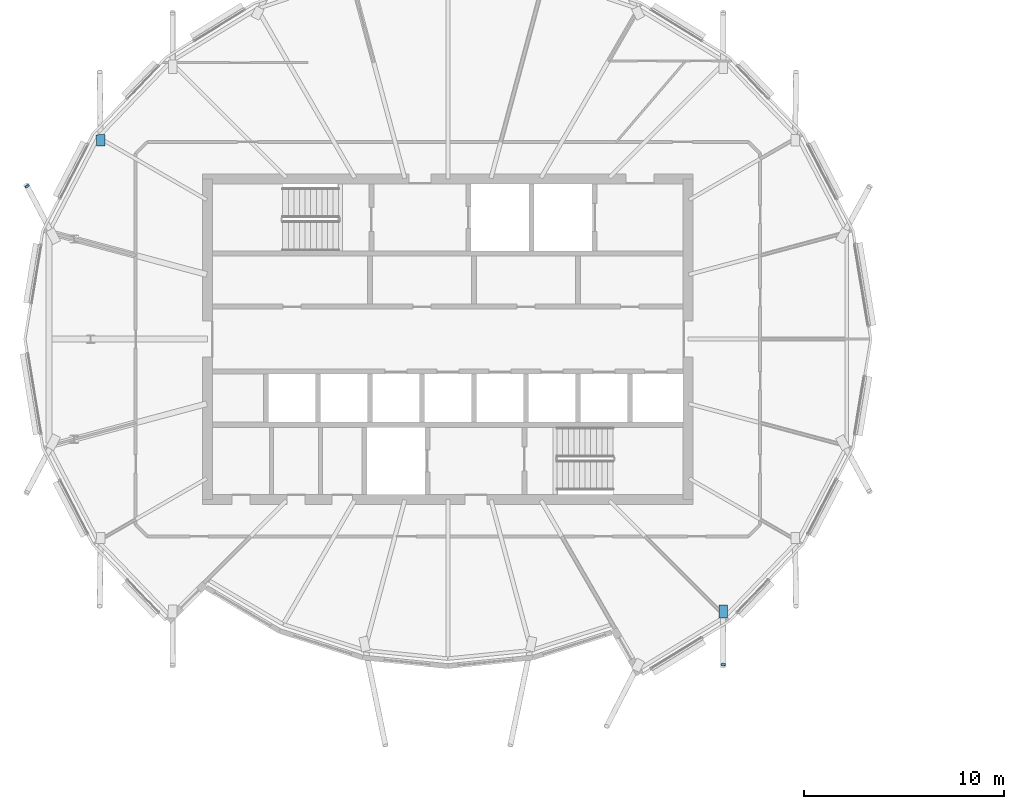
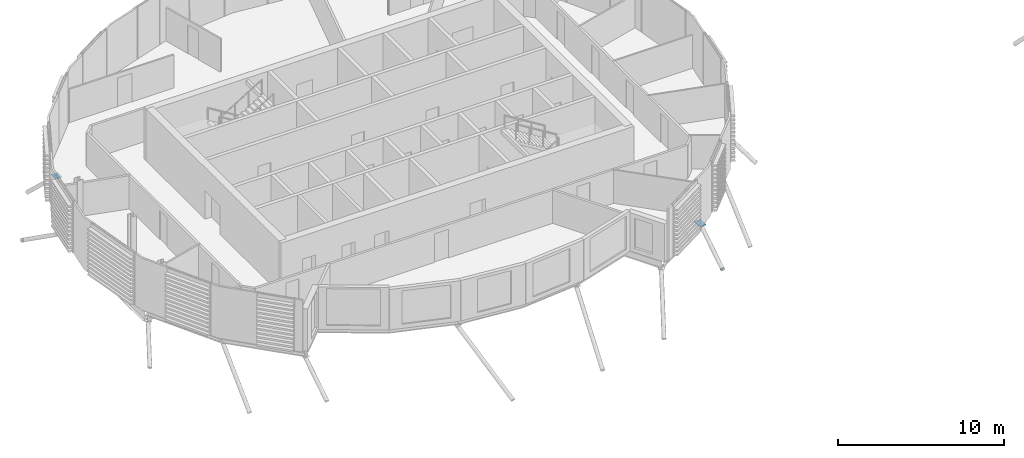
# One storey, part 25 of 38: 4 discrete accessories.
"""IFC4 building model written with IfcOpenShell, lengths in metres."""

import ifcopenshell
import ifcopenshell.guid

model = None  # the IFC model being written
_history = None  # IfcOwnerHistory: only IFC2X3 demands one
_inside = {}  # id of a spatial element -> (the spatial element, [elements in it])
_under = {}  # id of a project, library or spatial element -> (it, [spatial elements below it])
_declared = {}  # id of a project -> (the project, [libraries it declares])
_typed = {}  # id of a type object -> (the type object, [elements of that type])
_made_of = {}  # id of a material, layer set ... -> (it, [elements and type objects made of it])


def new_model(schema):
    """Start an empty IFC model of exactly this schema.

    Asked for "IFC4X3", IfcOpenShell would pick the latest addendum, in which some entities
    have other attributes; the version numbers below select the first issue.
    IFC2X3 requires an IfcOwnerHistory on every rooted entity: one is made here for all.
    """
    global model, _history
    if schema == "IFC4X3":
        model = ifcopenshell.file(schema_version=(4, 3, 0, 0))
    else:
        model = ifcopenshell.file(schema=schema)
    _inside.clear()
    _under.clear()
    _declared.clear()
    _typed.clear()
    _made_of.clear()
    _history = None
    if model.schema == "IFC2X3":
        org = make("IfcOrganization", Name="unknown")
        user = make(
            "IfcPersonAndOrganization",
            ThePerson=make("IfcPerson", FamilyName="unknown"),
            TheOrganization=org,
        )
        app = make(
            "IfcApplication",
            ApplicationDeveloper=org,
            Version="unknown",
            ApplicationFullName="unknown",
            ApplicationIdentifier="unknown",
        )
        _history = make(
            "IfcOwnerHistory",
            OwningUser=user,
            OwningApplication=app,
            ChangeAction="ADDED",
            CreationDate=0,
        )
    return model


def make(cls, **values):
    """One entity of the class cls with the attributes given. An attribute that is None is left unset."""
    return model.create_entity(
        cls, **{name: value for name, value in values.items() if value is not None}
    )


def rooted(cls, **values):
    """An entity with a GlobalId (a new one), such as an element, a storey or a relation."""
    return make(cls, GlobalId=ifcopenshell.guid.new(), OwnerHistory=_history, **values)


def si_unit(unit_type, name, prefix=None):
    """IfcSIUnit, for example si_unit("LENGTHUNIT", "METRE", prefix="MILLI")."""
    return make("IfcSIUnit", UnitType=unit_type, Prefix=prefix, Name=name)


def assignment(units):
    """IfcUnitAssignment: the units of a project."""
    return None if units is None else make("IfcUnitAssignment", Units=units)


def point(xyz):
    """IfcCartesianPoint."""
    return None if xyz is None else make("IfcCartesianPoint", Coordinates=xyz)


def direction(xyz):
    """IfcDirection."""
    return None if xyz is None else make("IfcDirection", DirectionRatios=xyz)


def frame(location, z_axis=None, x_axis=None):
    """IfcAxis2Placement3D, a coordinate frame: its origin and axes. An axis left out is left unset."""
    return make(
        "IfcAxis2Placement3D",
        Location=point(location),
        Axis=direction(z_axis),
        RefDirection=direction(x_axis),
    )


def frame_2d(location, x_axis=None):
    """IfcAxis2Placement2D, a coordinate frame in the plane: its origin and x axis."""
    return make(
        "IfcAxis2Placement2D", Location=point(location), RefDirection=direction(x_axis)
    )


def origin():
    """The frame at (0, 0, 0) with its axes left unset."""
    return frame((0.0, 0.0, 0.0))


def origin_2d():
    """The frame at (0, 0) in the plane with its x axis left unset."""
    return frame_2d((0.0, 0.0))


def place(relative_to, where):
    """IfcLocalPlacement: puts the frame where relative to a parent placement (None: the world)."""
    return make(
        "IfcLocalPlacement", PlacementRelTo=relative_to, RelativePlacement=where
    )


def context(
    kind, dimensions, precision=None, world=None, true_north=None, identifier=None
):
    """IfcGeometricRepresentationContext, for example the 3D "Model" context."""
    return make(
        "IfcGeometricRepresentationContext",
        ContextIdentifier=identifier,
        ContextType=kind,
        CoordinateSpaceDimension=dimensions,
        Precision=precision,
        WorldCoordinateSystem=world,
        TrueNorth=true_north,
    )


def subcontext(parent, identifier, kind, view, scale=None):
    """IfcGeometricRepresentationSubContext, for example "Body" below "Model"."""
    return make(
        "IfcGeometricRepresentationSubContext",
        ContextIdentifier=identifier,
        ContextType=kind,
        ParentContext=parent,
        TargetScale=scale,
        TargetView=view,
    )


def project(units=None, contexts=None):
    """IfcProject with its units and contexts."""
    return rooted(
        "IfcProject",
        Name="project",
        RepresentationContexts=contexts,
        UnitsInContext=assignment(units),
    )


def spatial(cls, under=None, at=None, **own):
    """A site, building, storey or space (cls), placed at a placement, below another one or the project."""
    s = rooted(cls, ObjectPlacement=at, **own)
    if under is not None:
        _under.setdefault(under.id(), (under, []))[1].append(s)
    return s


def polyline(points):
    """IfcPolyline through the points."""
    return make("IfcPolyline", Points=[point(p) for p in points])


def profile(cls, at=None, kind="AREA", **sizes):
    """A parametric profile (cls). Its sizes go by their IFC names, for example OverallWidth=200.0."""
    return make(cls, ProfileType=kind, Position=at, **sizes)


def rectangle(**sizes):
    """IfcRectangleProfileDef."""
    return profile("IfcRectangleProfileDef", **sizes)


def circle(**sizes):
    """IfcCircleProfileDef."""
    return profile("IfcCircleProfileDef", **sizes)


def outline(outer, holes=None, kind="AREA"):
    """IfcArbitraryClosedProfileDef: a profile drawn as a closed curve; with holes, ...WithVoids."""
    if holes is None:
        return make("IfcArbitraryClosedProfileDef", ProfileType=kind, OuterCurve=outer)
    return make(
        "IfcArbitraryProfileDefWithVoids",
        ProfileType=kind,
        OuterCurve=outer,
        InnerCurves=holes,
    )


def extrude(swept, where, along, depth):
    """IfcExtrudedAreaSolid: the profile swept, set in the frame where, extruded along a direction by depth."""
    return make(
        "IfcExtrudedAreaSolid",
        SweptArea=swept,
        Position=where,
        ExtrudedDirection=direction(along),
        Depth=depth,
    )


def shape(context_of_items, identifier, shape_type, items):
    """IfcShapeRepresentation: the items that make up one representation, for example the "Body"."""
    return make(
        "IfcShapeRepresentation",
        ContextOfItems=context_of_items,
        RepresentationIdentifier=identifier,
        RepresentationType=shape_type,
        Items=items,
    )


def material(Name=None, Category=None):
    """IfcMaterial."""
    return make("IfcMaterial", Name=Name, Category=Category)


def material_profile(
    of_material, cross_section, Name=None, Category=None, Priority=None
):
    """IfcMaterialProfile: a cross section and its material."""
    return make(
        "IfcMaterialProfile",
        Name=Name,
        Material=of_material,
        Profile=cross_section,
        Priority=Priority,
        Category=Category,
    )


def profile_set(profiles, Name=None, composite=None):
    """IfcMaterialProfileSet."""
    return make(
        "IfcMaterialProfileSet",
        Name=Name,
        MaterialProfiles=profiles,
        CompositeProfile=composite,
    )


def made_of(thing, what):
    """Note that an element or type object is made of a material, layer set ...; save() writes the relation."""
    if what is not None:
        _made_of.setdefault(what.id(), (what, []))[1].append(thing)
    return thing


def type_object(cls, material=None, **own):
    """A type object (cls), such as IfcWallType, which elements share."""
    return made_of(rooted(cls, **own), material)


def element(
    cls,
    number,
    at=None,
    inside=None,
    cuts=None,
    type_object=None,
    material=None,
    context=None,
    identifier="Body",
    shape_type=None,
    held_by="IfcProductDefinitionShape",
    body=None,
    shapes=None,
    **own,
):
    """One element of the class cls, such as IfcWall. Its Tag is "e" and its number.

    at: its placement. inside: the storey or other place that contains it. cuts: it is an
    opening in that element (IfcRelVoidsElement). A single representation is given by context,
    identifier, shape_type and body (its items); several are given by shapes. held_by: the class
    of the entity that holds the representations. save() writes the other relations.
    """
    e = rooted(cls, Tag="e%d" % number, ObjectPlacement=at, **own)
    if body is not None:
        shapes = [shape(context, identifier, shape_type, body)]
    if shapes is not None:
        e.Representation = make(held_by, Representations=shapes)
    if inside is not None:
        _inside.setdefault(inside.id(), (inside, []))[1].append(e)
    if cuts is not None:
        rooted(
            "IfcRelVoidsElement", RelatingBuildingElement=cuts, RelatedOpeningElement=e
        )
    if type_object is not None:
        _typed.setdefault(type_object.id(), (type_object, []))[1].append(e)
    return made_of(e, material)


def aggregate(whole, parts):
    """IfcRelAggregates: a whole, such as a stair, and the parts it consists of."""
    return rooted("IfcRelAggregates", RelatingObject=whole, RelatedObjects=parts)


def save(model, path):
    """Write the relations noted so far, then the file.

    IfcRelAggregates (storeys below a building ...), IfcRelContainedInSpatialStructure (elements
    in a storey), IfcRelDefinesByType, IfcRelAssociatesMaterial and IfcRelDeclares: one each for
    every whole, place, type object, material and project.
    """
    for whole, parts in _under.values():
        aggregate(whole, parts)
    for where, things in _inside.values():
        rooted(
            "IfcRelContainedInSpatialStructure",
            RelatedElements=things,
            RelatingStructure=where,
        )
    for kind, things in _typed.values():
        rooted("IfcRelDefinesByType", RelatedObjects=things, RelatingType=kind)
    for what, things in _made_of.values():
        rooted("IfcRelAssociatesMaterial", RelatedObjects=things, RelatingMaterial=what)
    for by, libraries in _declared.values():
        rooted("IfcRelDeclares", RelatingContext=by, RelatedDefinitions=libraries)
    model.write(path)


model = new_model("IFC4")

# Units and contexts
model_context = context("Model", 3, precision=1e-05, world=origin(), true_north=direction((0.0, 1.0)))
body_context = subcontext(model_context, "Body", "Model", "MODEL_VIEW")
ifc_project = project(units=[si_unit("LENGTHUNIT", "METRE"), si_unit("AREAUNIT", "SQUARE_METRE"), si_unit("VOLUMEUNIT", "CUBIC_METRE"), si_unit("PLANEANGLEUNIT", "RADIAN"), si_unit("MASSUNIT", "GRAM", prefix="KILO")], contexts=[model_context])

# Site, building, storey
site_placement = place(None, origin())
site = spatial("IfcSite", under=ifc_project, at=site_placement, CompositionType="ELEMENT")
building_placement = place(site_placement, origin())
building = spatial("IfcBuilding", under=site, at=building_placement, Name="Rimbun Link Towers", CompositionType="ELEMENT")
storey_placement = place(building_placement, frame((0.0, 0.0, 218.10009765625)))
storey = spatial("IfcBuildingStorey", under=building, at=storey_placement, Name="L53", CompositionType="ELEMENT", Elevation=218.10009765625)

# Discrete accessories
ifc_material_1 = material(Name="Steel S355J2H", Category="steel")
ifc_material_profile_1 = material_profile(ifc_material_1, circle(Radius=0.1240234375, at=origin_2d()), Name="PL D248")
ifc_profile_set_1 = profile_set([ifc_material_profile_1], Name="Steel S355J2H")
discrete_accessory_type_1 = type_object("IfcDiscreteAccessoryType", Name="Link foot sealing plate D248X20", PredefinedType="BRACKET", material=ifc_profile_set_1)
for number, where, z_axis, x_axis, name in (
    (1, (-52.76025390625, 7.63037109375, -2.53759765625), (-0.413131566007, 0.777659418366, -0.473886208067), (-0.883115719457, -0.469155225962, 0.0), "Link foot sealing plate T1 L53 11"),
    (2, (-18.00341796875, -16.245849609375, -2.30322265625), (0.0, -0.837610596839, -0.546267780547), (1.0, 0.0, 0.0), "Link foot sealing plate T1 L53 21"),
):
    element("IfcDiscreteAccessory", number, at=place(storey_placement, frame(where, z_axis=z_axis, x_axis=x_axis)), inside=storey, type_object=discrete_accessory_type_1, Name=name, PredefinedType="BRACKET", context=body_context, shape_type="SweptSolid", body=[
        extrude(circle(Radius=0.1240234375, at=origin_2d()), origin(), (0.0, 0.0, 1.0), 0.02001953125),
    ])
ifc_material_2 = material(Name="Steel S355J2H", Category="steel")
ifc_material_profile_2 = material_profile(ifc_material_2, rectangle(XDim=0.43310546875, YDim=0.43310546875, at=origin_2d()), Name="PL 433x433")
ifc_profile_set_2 = profile_set([ifc_material_profile_2], Name="Steel S355J2H")
discrete_accessory_type_2 = type_object("IfcDiscreteAccessoryType", Name="Link head end plate 433X20", PredefinedType="BRACKET", material=ifc_profile_set_2)
discrete_accessory_1_placement = place(storey_placement, frame((0.0, 0.0, -0.51513671875)))
element("IfcDiscreteAccessory", 3, at=discrete_accessory_1_placement, inside=storey, type_object=discrete_accessory_type_2, Name="Link head end plate T1 L53 10", PredefinedType="BRACKET", context=body_context, shape_type="SweptSolid", body=[
    extrude(outline(polyline([(-48.869384765625, 9.651611328125), (-48.876220703125, 10.20849609375), (-49.309326171875, 10.203125), (-49.302490234375, 9.646240234375), (-48.869384765625, 9.651611328125)])), origin(), (0.0, 0.0, 1.0), 0.02001953125),
])
discrete_accessory_2_placement = place(storey_placement, frame((0.0, 0.0, -0.613525390625)))
element("IfcDiscreteAccessory", 4, at=discrete_accessory_2_placement, inside=storey, type_object=discrete_accessory_type_2, Name="Link head end plate T1 L53 21", PredefinedType="BRACKET", context=body_context, shape_type="SweptSolid", body=[
    extrude(outline(polyline([(-18.221435546875, -13.2626953125), (-18.22119140625, -13.930419921875), (-17.7880859375, -13.93017578125), (-17.788330078125, -13.262451171875), (-18.221435546875, -13.2626953125)])), origin(), (0.0, 0.0, 1.0), 0.02001953125),
])

save(model, "model.ifc")
